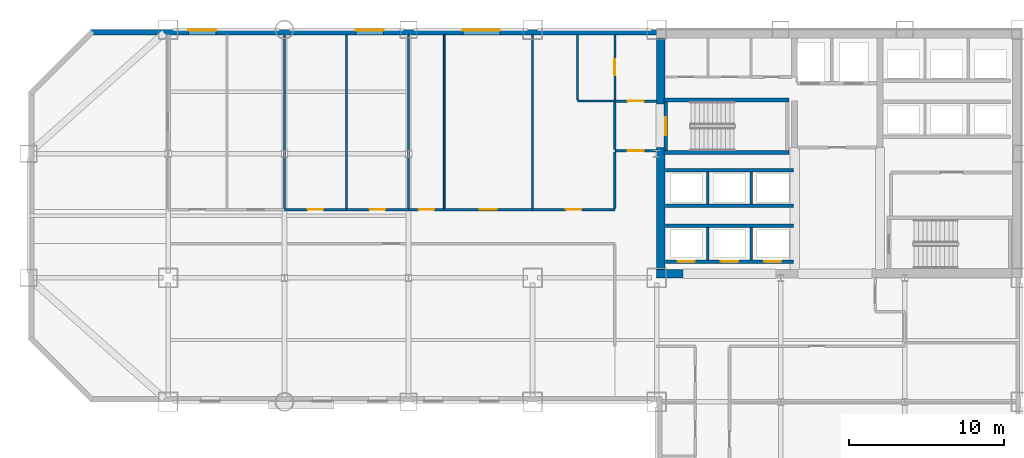
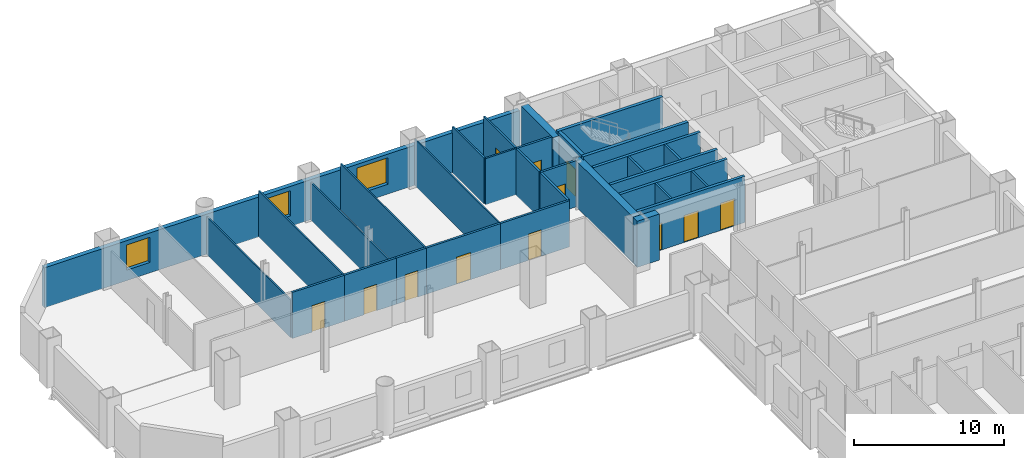
# One storey, part 6 of 9: 32 walls, 12 doors, 3 windows, 15 openings.
"""IFC4 building model written with IfcOpenShell, lengths in metres."""

from ifc_helpers import new_model, si_unit, direction, frame, frame_2d, origin, place, context, subcontext, project, spatial, rectangle, extrude, material, layer, layer_set, type_object, element, fill, save


model = new_model("IFC4")

# Units and contexts
model_context = context("Model", 3, precision=1e-05, world=origin(), true_north=direction((0.0, 1.0)))
body_context = subcontext(model_context, "Body", "Model", "MODEL_VIEW")
ifc_project = project(units=[si_unit("LENGTHUNIT", "METRE"), si_unit("AREAUNIT", "SQUARE_METRE"), si_unit("VOLUMEUNIT", "CUBIC_METRE"), si_unit("PLANEANGLEUNIT", "RADIAN"), si_unit("MASSUNIT", "GRAM", prefix="KILO")], contexts=[model_context])

# Site, building, storey
site_placement = place(None, origin())
site = spatial("IfcSite", under=ifc_project, at=site_placement, CompositionType="ELEMENT")
building_placement = place(site_placement, origin())
building = spatial("IfcBuilding", under=site, at=building_placement, Name="Qianrong Seaharbour Tower", CompositionType="ELEMENT")
storey_placement = place(building_placement, frame((0.0, 0.0, 40.199951171875)))
storey = spatial("IfcBuildingStorey", under=building, at=storey_placement, Name="L09", CompositionType="ELEMENT", Elevation=40.199951171875)

# Walls
ifc_material_1 = material(Name="Concrete C70/85", Category="concrete")
ifc_layer_1 = layer(ifc_material_1, 0.5400390625)
ifc_layer_set_1 = layer_set([ifc_layer_1], Name="Concrete C70/85")
wall_type_1 = type_object("IfcWallType", Name="WALL-CORE-540", PredefinedType="SHEAR", material=ifc_layer_set_1)
wall_1_placement = place(storey_placement, frame((40.77001953125, 36.5400390625, 0.0), z_axis=(0.0, 0.0, 1.0), x_axis=(0.0, 1.0, 0.0)))
element("IfcWall", 1, at=wall_1_placement, inside=storey, type_object=wall_type_1, Name="L09 West Core Shear Wall South", PredefinedType="SHEAR", context=body_context, shape_type="SweptSolid", body=[
    extrude(rectangle(XDim=7.85986328125, YDim=0.5400390625, at=frame_2d((3.929931640625, 0.0))), origin(), (0.0, 0.0, 1.0), 3.75),
])
wall_2_placement = place(storey_placement, frame((40.77001953125, 47.199951171875, 0.0), z_axis=(0.0, 0.0, 1.0), x_axis=(0.0, 1.0, 0.0)))
element("IfcWall", 2, at=wall_2_placement, inside=storey, type_object=wall_type_1, Name="L09 West Core Shear Wall North", PredefinedType="SHEAR", context=body_context, shape_type="SweptSolid", body=[
    extrude(rectangle(XDim=4.260009765625, YDim=0.5400390625, at=frame_2d((2.1298828125, 0.0))), origin(), (0.0, 0.0, 1.0), 3.75),
])
wall_3_placement = place(storey_placement, frame((40.5, 36.27001953125, 0.0), z_axis=(0.0, 0.0, 1.0), x_axis=(1.0, 0.0, 0.0)))
element("IfcWall", 3, at=wall_3_placement, inside=storey, type_object=wall_type_1, Name="L09 South Core Shear Wall S1", PredefinedType="SHEAR", context=body_context, shape_type="SweptSolid", body=[
    extrude(rectangle(XDim=1.699951171875, YDim=0.5400390625, at=frame_2d((0.85009765625, 0.0))), origin(), (0.0, 0.0, 1.0), 3.75),
])

# Wall, opening, door
ifc_material_2 = material(Name="Fire-rated acoustic gypsum board partition")
ifc_layer_2 = layer(ifc_material_2, 0.1650390625)
ifc_layer_set_2 = layer_set([ifc_layer_2], Name="Fire-rated acoustic gypsum board partition")
wall_type_2 = type_object("IfcWallType", Name="WALL-CORR-PART-165", PredefinedType="PARTITIONING", material=ifc_layer_set_2)
wall_4_placement = place(storey_placement, frame((37.800048828125, 47.39990234375, 0.0), z_axis=(0.0, 0.0, 1.0), x_axis=(1.0, 0.0, 0.0)))
wall_4 = element("IfcWall", 4, at=wall_4_placement, inside=storey, type_object=wall_type_2, Name="L09 Interior Partition Wall 001", PredefinedType="PARTITIONING", context=body_context, shape_type="SweptSolid", body=[
    extrude(rectangle(XDim=2.699951171875, YDim=0.1650390625, at=frame_2d((1.35009765625, 0.0))), origin(), (0.0, 0.0, 1.0), 3.75),
])
opening_1_placement = place(wall_4_placement, frame((0.824951171875, 0.0, 0.0)))
opening_1 = element("IfcOpeningElement", 5, at=opening_1_placement, cuts=wall_4, Name="Opening DC-01", PredefinedType="OPENING", context=body_context, shape_type="SweptSolid", body=[
    extrude(rectangle(XDim=1.050048828125, YDim=2.14990234375, at=frame_2d((0.52490234375, 1.074951171875))), frame((0.0, 0.092529296875, 0.0), z_axis=(0.0, -1.0, 0.0), x_axis=(1.0, 0.0, 0.0)), (0.0, 0.0, 1.0), 0.18505859375),
])
ifc_material_3 = material(Name="Acoustic timber and galvanized steel fire door assembly", Category="steel")
door_type_1 = type_object("IfcDoorType", Name="DOOR-CORR-FD60-1050x2150", OperationType="NOTDEFINED", PredefinedType="DOOR", material=ifc_material_3)
door_1_placement = place(opening_1_placement, origin())
door_1 = element("IfcDoor", 6, at=door_1_placement, inside=storey, type_object=door_type_1, Name="L09 Smokeproof Stair Vestibule ST-1 Door", OperationType="SINGLE_SWING_RIGHT", OverallHeight=2.14990234375, OverallWidth=1.050048828125, PredefinedType="DOOR", context=body_context, shape_type="SweptSolid", body=[
    extrude(rectangle(XDim=1.050048828125, YDim=2.14990234375, at=frame_2d((0.52490234375, 1.074951171875))), frame((0.0, 0.02490234375, 0.0), z_axis=(0.0, -1.0, 0.0), x_axis=(1.0, 0.0, 0.0)), (0.0, 0.0, 1.0), 0.050048828125),
])
fill(opening_1, door_1)

wall_5_placement = place(storey_placement, frame((40.5, 44.199951171875, 0.0), z_axis=(0.0, 0.0, 1.0), x_axis=(-1.0, 0.0, 0.0)))
wall_5 = element("IfcWall", 7, at=wall_5_placement, inside=storey, type_object=wall_type_2, Name="L09 Interior Partition Wall 002", PredefinedType="PARTITIONING", context=body_context, shape_type="SweptSolid", body=[
    extrude(rectangle(XDim=2.699951171875, YDim=0.1650390625, at=frame_2d((1.35009765625, 0.0))), origin(), (0.0, 0.0, 1.0), 3.75),
])
opening_2_placement = place(wall_5_placement, frame((0.824951171875, 0.0, 0.0)))
opening_2 = element("IfcOpeningElement", 8, at=opening_2_placement, cuts=wall_5, Name="Opening DC-01", PredefinedType="OPENING", context=body_context, shape_type="SweptSolid", body=[
    extrude(rectangle(XDim=1.050048828125, YDim=2.14990234375, at=frame_2d((0.52490234375, 1.074951171875))), frame((0.0, 0.092529296875, 0.0), z_axis=(0.0, -1.0, 0.0), x_axis=(1.0, 0.0, 0.0)), (0.0, 0.0, 1.0), 0.18505859375),
])
door_2_placement = place(opening_2_placement, origin())
door_2 = element("IfcDoor", 9, at=door_2_placement, inside=storey, type_object=door_type_1, Name="L09 Smokeproof Stair Vestibule ST-1 Door", OperationType="SINGLE_SWING_LEFT", OverallHeight=2.14990234375, OverallWidth=1.050048828125, PredefinedType="DOOR", context=body_context, shape_type="SweptSolid", body=[
    extrude(rectangle(XDim=1.050048828125, YDim=2.14990234375, at=frame_2d((0.52490234375, 1.074951171875))), frame((0.0, 0.02490234375, 0.0), z_axis=(0.0, -1.0, 0.0), x_axis=(1.0, 0.0, 0.0)), (0.0, 0.0, 1.0), 0.050048828125),
])
fill(opening_2, door_2)

# Wall
wall_6_placement = place(storey_placement, frame((37.800048828125, 44.2744140625, 0.0), z_axis=(0.0, 0.0, 1.0), x_axis=(0.0, 1.0, 0.0)))
element("IfcWall", 10, at=wall_6_placement, inside=storey, type_object=wall_type_2, Name="L09 Interior Partition Wall 003", PredefinedType="PARTITIONING", context=body_context, shape_type="SweptSolid", body=[
    extrude(rectangle(XDim=3.051025390625, YDim=0.1650390625, at=frame_2d((1.525390625, 0.0))), origin(), (0.0, 0.0, 1.0), 3.75),
])

# Wall, opening, door
wall_7_placement = place(storey_placement, frame((16.5, 40.39990234375, 0.0), z_axis=(0.0, 0.0, 1.0), x_axis=(1.0, 0.0, 0.0)))
wall_7 = element("IfcWall", 11, at=wall_7_placement, inside=storey, type_object=wall_type_2, Name="L09 Interior Partition Wall 018", PredefinedType="PARTITIONING", context=body_context, shape_type="SweptSolid", body=[
    extrude(rectangle(XDim=4.0, YDim=0.1650390625, at=frame_2d((2.0, 0.0))), origin(), (0.0, 0.0, 1.0), 3.75),
])
opening_3_placement = place(wall_7_placement, frame((1.5, 0.0, 0.0)))
opening_3 = element("IfcOpeningElement", 12, at=opening_3_placement, cuts=wall_7, Name="Opening DO-01", PredefinedType="OPENING", context=body_context, shape_type="SweptSolid", body=[
    extrude(rectangle(XDim=1.0, YDim=2.14990234375, at=frame_2d((0.5, 1.074951171875))), frame((0.0, 0.092529296875, 0.0), z_axis=(0.0, -1.0, 0.0), x_axis=(1.0, 0.0, 0.0)), (0.0, 0.0, 1.0), 0.18505859375),
])
door_type_2 = type_object("IfcDoorType", Name="DOOR-OFFICE-1000x2150", OperationType="NOTDEFINED", PredefinedType="DOOR", material=ifc_material_3)
door_3_placement = place(opening_3_placement, origin())
door_3 = element("IfcDoor", 13, at=door_3_placement, inside=storey, type_object=door_type_2, Name="L09 Executive Office 4 Door", OperationType="SINGLE_SWING_LEFT", OverallHeight=2.14990234375, OverallWidth=1.0, PredefinedType="DOOR", context=body_context, shape_type="SweptSolid", body=[
    extrude(rectangle(XDim=1.0, YDim=2.14990234375, at=frame_2d((0.5, 1.074951171875))), frame((0.0, 0.02490234375, 0.0), z_axis=(0.0, -1.0, 0.0), x_axis=(1.0, 0.0, 0.0)), (0.0, 0.0, 1.0), 0.050048828125),
])
fill(opening_3, door_3)

wall_8_placement = place(storey_placement, frame((20.5, 40.39990234375, 0.0), z_axis=(0.0, 0.0, 1.0), x_axis=(1.0, 0.0, 0.0)))
wall_8 = element("IfcWall", 14, at=wall_8_placement, inside=storey, type_object=wall_type_2, Name="L09 Interior Partition Wall 019", PredefinedType="PARTITIONING", context=body_context, shape_type="SweptSolid", body=[
    extrude(rectangle(XDim=4.0, YDim=0.1650390625, at=frame_2d((2.0, 0.0))), origin(), (0.0, 0.0, 1.0), 3.75),
])
opening_4_placement = place(wall_8_placement, frame((1.5, 0.0, 0.0)))
opening_4 = element("IfcOpeningElement", 15, at=opening_4_placement, cuts=wall_8, Name="Opening DO-01", PredefinedType="OPENING", context=body_context, shape_type="SweptSolid", body=[
    extrude(rectangle(XDim=1.0, YDim=2.14990234375, at=frame_2d((0.5, 1.074951171875))), frame((0.0, 0.092529296875, 0.0), z_axis=(0.0, -1.0, 0.0), x_axis=(1.0, 0.0, 0.0)), (0.0, 0.0, 1.0), 0.18505859375),
])
door_4_placement = place(opening_4_placement, origin())
door_4 = element("IfcDoor", 16, at=door_4_placement, inside=storey, type_object=door_type_2, Name="L09 Executive Office 5 Door", OperationType="SINGLE_SWING_RIGHT", OverallHeight=2.14990234375, OverallWidth=1.0, PredefinedType="DOOR", context=body_context, shape_type="SweptSolid", body=[
    extrude(rectangle(XDim=1.0, YDim=2.14990234375, at=frame_2d((0.5, 1.074951171875))), frame((0.0, 0.02490234375, 0.0), z_axis=(0.0, -1.0, 0.0), x_axis=(1.0, 0.0, 0.0)), (0.0, 0.0, 1.0), 0.050048828125),
])
fill(opening_4, door_4)

wall_9_placement = place(storey_placement, frame((24.5, 40.39990234375, 0.0), z_axis=(0.0, 0.0, 1.0), x_axis=(1.0, 0.0, 0.0)))
wall_9 = element("IfcWall", 17, at=wall_9_placement, inside=storey, type_object=wall_type_2, Name="L09 Interior Partition Wall 020", PredefinedType="PARTITIONING", context=body_context, shape_type="SweptSolid", body=[
    extrude(rectangle(XDim=2.300048828125, YDim=0.1650390625, at=frame_2d((1.14990234375, 0.0))), origin(), (0.0, 0.0, 1.0), 3.75),
])
opening_5_placement = place(wall_9_placement, frame((0.64990234375, 0.0, 0.0)))
opening_5 = element("IfcOpeningElement", 18, at=opening_5_placement, cuts=wall_9, Name="Opening DO-01", PredefinedType="OPENING", context=body_context, shape_type="SweptSolid", body=[
    extrude(rectangle(XDim=1.0, YDim=2.14990234375, at=frame_2d((0.5, 1.074951171875))), frame((0.0, 0.092529296875, 0.0), z_axis=(0.0, -1.0, 0.0), x_axis=(1.0, 0.0, 0.0)), (0.0, 0.0, 1.0), 0.18505859375),
])
door_5_placement = place(opening_5_placement, origin())
door_5 = element("IfcDoor", 19, at=door_5_placement, inside=storey, type_object=door_type_2, Name="L09 Focus Room 6 Door", OperationType="SINGLE_SWING_LEFT", OverallHeight=2.14990234375, OverallWidth=1.0, PredefinedType="DOOR", context=body_context, shape_type="SweptSolid", body=[
    extrude(rectangle(XDim=1.0, YDim=2.14990234375, at=frame_2d((0.5, 1.074951171875))), frame((0.0, 0.02490234375, 0.0), z_axis=(0.0, -1.0, 0.0), x_axis=(1.0, 0.0, 0.0)), (0.0, 0.0, 1.0), 0.050048828125),
])
fill(opening_5, door_5)

wall_10_placement = place(storey_placement, frame((26.800048828125, 40.39990234375, 0.0), z_axis=(0.0, 0.0, 1.0), x_axis=(1.0, 0.0, 0.0)))
wall_10 = element("IfcWall", 20, at=wall_10_placement, inside=storey, type_object=wall_type_2, Name="L09 Interior Partition Wall 021", PredefinedType="PARTITIONING", context=body_context, shape_type="SweptSolid", body=[
    extrude(rectangle(XDim=5.699951171875, YDim=0.1650390625, at=frame_2d((2.85009765625, 0.0))), origin(), (0.0, 0.0, 1.0), 3.75),
])
opening_6_placement = place(wall_10_placement, frame((2.300048828125, 0.0, 0.0)))
opening_6 = element("IfcOpeningElement", 21, at=opening_6_placement, cuts=wall_10, Name="Opening DM-01", PredefinedType="OPENING", context=body_context, shape_type="SweptSolid", body=[
    extrude(rectangle(XDim=1.10009765625, YDim=2.199951171875, at=frame_2d((0.550048828125, 1.10009765625))), frame((0.0, 0.092529296875, 0.0), z_axis=(0.0, -1.0, 0.0), x_axis=(1.0, 0.0, 0.0)), (0.0, 0.0, 1.0), 0.18505859375),
])
door_type_3 = type_object("IfcDoorType", Name="DOOR-MEET-1100x2200", OperationType="NOTDEFINED", PredefinedType="DOOR", material=ifc_material_3)
door_6_placement = place(opening_6_placement, origin())
door_6 = element("IfcDoor", 22, at=door_6_placement, inside=storey, type_object=door_type_3, Name="L09 Meeting Room 7 Door", OperationType="SINGLE_SWING_RIGHT", OverallHeight=2.199951171875, OverallWidth=1.10009765625, PredefinedType="DOOR", context=body_context, shape_type="SweptSolid", body=[
    extrude(rectangle(XDim=1.10009765625, YDim=2.199951171875, at=frame_2d((0.550048828125, 1.10009765625))), frame((0.0, 0.02490234375, 0.0), z_axis=(0.0, -1.0, 0.0), x_axis=(1.0, 0.0, 0.0)), (0.0, 0.0, 1.0), 0.050048828125),
])
fill(opening_6, door_6)

wall_11_placement = place(storey_placement, frame((32.5, 40.39990234375, 0.0), z_axis=(0.0, 0.0, 1.0), x_axis=(1.0, 0.0, 0.0)))
wall_11 = element("IfcWall", 23, at=wall_11_placement, inside=storey, type_object=wall_type_2, Name="L09 Interior Partition Wall 022", PredefinedType="PARTITIONING", context=body_context, shape_type="SweptSolid", body=[
    extrude(rectangle(XDim=5.300048828125, YDim=0.1650390625, at=frame_2d((2.64990234375, 0.0))), origin(), (0.0, 0.0, 1.0), 3.75),
])
opening_7_placement = place(wall_11_placement, frame((2.14990234375, 0.0, 0.0)))
opening_7 = element("IfcOpeningElement", 24, at=opening_7_placement, cuts=wall_11, Name="Opening DO-01", PredefinedType="OPENING", context=body_context, shape_type="SweptSolid", body=[
    extrude(rectangle(XDim=1.0, YDim=2.14990234375, at=frame_2d((0.5, 1.074951171875))), frame((0.0, 0.092529296875, 0.0), z_axis=(0.0, -1.0, 0.0), x_axis=(1.0, 0.0, 0.0)), (0.0, 0.0, 1.0), 0.18505859375),
])
door_7_placement = place(opening_7_placement, origin())
door_7 = element("IfcDoor", 25, at=door_7_placement, inside=storey, type_object=door_type_2, Name="L09 Executive Office 8 Door", OperationType="SINGLE_SWING_LEFT", OverallHeight=2.14990234375, OverallWidth=1.0, PredefinedType="DOOR", context=body_context, shape_type="SweptSolid", body=[
    extrude(rectangle(XDim=1.0, YDim=2.14990234375, at=frame_2d((0.5, 1.074951171875))), frame((0.0, 0.02490234375, 0.0), z_axis=(0.0, -1.0, 0.0), x_axis=(1.0, 0.0, 0.0)), (0.0, 0.0, 1.0), 0.050048828125),
])
fill(opening_7, door_7)

# Walls
wall_12_placement = place(storey_placement, frame((37.800048828125, 40.474609375, 0.0), z_axis=(0.0, 0.0, 1.0), x_axis=(0.0, 1.0, 0.0)))
element("IfcWall", 26, at=wall_12_placement, inside=storey, type_object=wall_type_2, Name="L09 Interior Partition Wall 024", PredefinedType="PARTITIONING", context=body_context, shape_type="SweptSolid", body=[
    extrude(rectangle(XDim=3.65087890625, YDim=0.1650390625, at=frame_2d((1.825439453125, 0.0))), origin(), (0.0, 0.0, 1.0), 3.75),
])
ifc_material_4 = material(Name="Demountable aluminium-framed acoustic office partition", Category="aluminium")
ifc_layer_3 = layer(ifc_material_4, 0.110107421875)
ifc_layer_set_3 = layer_set([ifc_layer_3], Name="Demountable aluminium-framed acoustic office partition")
wall_type_3 = type_object("IfcWallType", Name="WALL-DEMOUNT-110", PredefinedType="MOVABLE", material=ifc_layer_set_3)
wall_13_placement = place(storey_placement, frame((16.5, 51.66796875, 0.0), z_axis=(0.0, 0.0, 1.0), x_axis=(0.0, -1.0, 0.0)))
element("IfcWall", 27, at=wall_13_placement, inside=storey, type_object=wall_type_3, Name="L09 Interior Partition Wall 047", PredefinedType="MOVABLE", context=body_context, shape_type="SweptSolid", body=[
    extrude(rectangle(XDim=11.193359375, YDim=0.110107421875, at=frame_2d((5.5966796875, 0.0))), origin(), (0.0, 0.0, 1.0), 3.0419921875),
])
wall_14_placement = place(storey_placement, frame((20.5, 51.66796875, 0.0), z_axis=(0.0, 0.0, 1.0), x_axis=(0.0, -1.0, 0.0)))
element("IfcWall", 28, at=wall_14_placement, inside=storey, type_object=wall_type_3, Name="L09 Interior Partition Wall 048", PredefinedType="MOVABLE", context=body_context, shape_type="SweptSolid", body=[
    extrude(rectangle(XDim=11.193359375, YDim=0.110107421875, at=frame_2d((5.5966796875, 0.0))), origin(), (0.0, 0.0, 1.0), 3.75),
])
wall_15_placement = place(storey_placement, frame((24.5, 51.66796875, 0.0), z_axis=(0.0, 0.0, 1.0), x_axis=(0.0, -1.0, 0.0)))
element("IfcWall", 29, at=wall_15_placement, inside=storey, type_object=wall_type_3, Name="L09 Interior Partition Wall 049", PredefinedType="MOVABLE", context=body_context, shape_type="SweptSolid", body=[
    extrude(rectangle(XDim=11.193359375, YDim=0.110107421875, at=frame_2d((5.5966796875, 0.0))), origin(), (0.0, 0.0, 1.0), 3.0419921875),
])
for number, where, z_axis, x_axis, name in (
    (30, (26.800048828125, 51.66796875, 0.0), (0.0, 0.0, 1.0), (0.0, -1.0, 0.0), "L09 Interior Partition Wall 050"),
    (31, (32.5, 51.66796875, 0.0), (0.0, 0.0, 1.0), (0.0, -1.0, 0.0), "L09 Interior Partition Wall 051"),
):
    element("IfcWall", number, at=place(storey_placement, frame(where, z_axis=z_axis, x_axis=x_axis)), inside=storey, type_object=wall_type_3, Name=name, PredefinedType="MOVABLE", context=body_context, shape_type="SweptSolid", body=[
        extrude(rectangle(XDim=11.193359375, YDim=0.110107421875, at=frame_2d((5.5966796875, 0.0))), origin(), (0.0, 0.0, 1.0), 3.75),
    ])

# Wall, openings, windows
ifc_material_5 = material(Name="Unitised buff brick on Precast concrete C45/55", Category="masonry")
ifc_layer_4 = layer(ifc_material_5, 0.340087890625)
ifc_layer_set_4 = layer_set([ifc_layer_4], Name="Unitised buff brick on Precast concrete C45/55")
wall_type_4 = type_object("IfcWallType", Name="WALL-EXT-BRICK-BUFF-340", PredefinedType="SOLIDWALL", material=ifc_layer_set_4)
wall_16_placement = place(storey_placement, frame((4.0, 51.830078125, 0.0), z_axis=(0.0, 0.0, 1.0), x_axis=(1.0, 0.0, 0.0)))
wall_16 = element("IfcWall", 32, at=wall_16_placement, inside=storey, type_object=wall_type_4, Name="L09 Exterior Masonry Facade Wall NORTH_WING", PredefinedType="SOLIDWALL", context=body_context, shape_type="SweptSolid", body=[
    extrude(rectangle(XDim=36.52001953125, YDim=0.340087890625, at=frame_2d((18.260009765625, 0.0))), origin(), (0.0, 0.0, 1.0), 3.25),
])
opening_8_placement = place(wall_16_placement, frame((6.300048828125, 0.0, 0.85009765625)))
opening_8 = element("IfcOpeningElement", 33, at=opening_8_placement, cuts=wall_16, Name="Opening WN-05", PredefinedType="OPENING", context=body_context, shape_type="SweptSolid", body=[
    extrude(rectangle(XDim=1.800048828125, YDim=2.050048828125, at=frame_2d((0.89990234375, 1.02490234375))), frame((0.0, 0.18017578125, 0.0), z_axis=(0.0, -1.0, 0.0), x_axis=(1.0, 0.0, 0.0)), (0.0, 0.0, 1.0), 0.360107421875),
])
opening_9_placement = place(wall_16_placement, frame((17.10009765625, 0.0, 0.85009765625)))
opening_9 = element("IfcOpeningElement", 34, at=opening_9_placement, cuts=wall_16, Name="Opening WN-05", PredefinedType="OPENING", context=body_context, shape_type="SweptSolid", body=[
    extrude(rectangle(XDim=1.800048828125, YDim=2.050048828125, at=frame_2d((0.89990234375, 1.02490234375))), frame((0.0, 0.18017578125, 0.0), z_axis=(0.0, -1.0, 0.0), x_axis=(1.0, 0.0, 0.0)), (0.0, 0.0, 1.0), 0.360107421875),
])
opening_10_placement = place(wall_16_placement, frame((24.0, 0.0, 0.800048828125)))
opening_10 = element("IfcOpeningElement", 35, at=opening_10_placement, cuts=wall_16, Name="Opening WN-07", PredefinedType="OPENING", context=body_context, shape_type="SweptSolid", body=[
    extrude(rectangle(XDim=2.39990234375, YDim=2.14990234375, at=frame_2d((1.199951171875, 1.074951171875))), frame((0.0, 0.18017578125, 0.0), z_axis=(0.0, -1.0, 0.0), x_axis=(1.0, 0.0, 0.0)), (0.0, 0.0, 1.0), 0.360107421875),
])
ifc_material_6 = material(Name="Insulated low-e double glazing in thermally broken aluminium 6063-T6 frame", Category="aluminium")
window_type_1 = type_object("IfcWindowType", Name="WIN-PUNCH-1800x2050", PartitioningType="TRIPLE_PANEL_VERTICAL", PredefinedType="WINDOW", material=ifc_material_6)
window_1_placement = place(opening_8_placement, origin())
window_1 = element("IfcWindow", 36, at=window_1_placement, inside=storey, type_object=window_type_1, Name="L09 Deep-Set Punched Window 05.02", OverallHeight=2.050048828125, OverallWidth=1.800048828125, PartitioningType="TRIPLE_PANEL_VERTICAL", PredefinedType="WINDOW", context=body_context, shape_type="SweptSolid", body=[
    extrude(rectangle(XDim=1.800048828125, YDim=2.050048828125, at=frame_2d((0.89990234375, 1.02490234375))), frame((0.0, 0.150146484375, 0.0), z_axis=(0.0, -1.0, 0.0), x_axis=(1.0, 0.0, 0.0)), (0.0, 0.0, 1.0), 0.06005859375),
])
fill(opening_8, window_1)
window_2_placement = place(opening_9_placement, origin())
window_2 = element("IfcWindow", 37, at=window_2_placement, inside=storey, type_object=window_type_1, Name="L09 Deep-Set Punched Window 05.05", OverallHeight=2.050048828125, OverallWidth=1.800048828125, PartitioningType="TRIPLE_PANEL_VERTICAL", PredefinedType="WINDOW", context=body_context, shape_type="SweptSolid", body=[
    extrude(rectangle(XDim=1.800048828125, YDim=2.050048828125, at=frame_2d((0.89990234375, 1.02490234375))), frame((0.0, 0.150146484375, 0.0), z_axis=(0.0, -1.0, 0.0), x_axis=(1.0, 0.0, 0.0)), (0.0, 0.0, 1.0), 0.06005859375),
])
fill(opening_9, window_2)
window_type_2 = type_object("IfcWindowType", Name="WIN-PUNCH-2400x2150", PartitioningType="TRIPLE_PANEL_VERTICAL", PredefinedType="WINDOW", material=ifc_material_6)
window_3_placement = place(opening_10_placement, origin())
window_3 = element("IfcWindow", 38, at=window_3_placement, inside=storey, type_object=window_type_2, Name="L09 Deep-Set Punched Window 05.07", OverallHeight=2.14990234375, OverallWidth=2.39990234375, PartitioningType="TRIPLE_PANEL_VERTICAL", PredefinedType="WINDOW", context=body_context, shape_type="SweptSolid", body=[
    extrude(rectangle(XDim=2.39990234375, YDim=2.14990234375, at=frame_2d((1.199951171875, 1.074951171875))), frame((0.0, 0.150146484375, 0.0), z_axis=(0.0, -1.0, 0.0), x_axis=(1.0, 0.0, 0.0)), (0.0, 0.0, 1.0), 0.06005859375),
])
fill(opening_10, window_3)

# Walls
ifc_material_7 = material(Name="Fire-rated gypsum board on steel studs", Category="steel")
ifc_layer_5 = layer(ifc_material_7, 0.14990234375)
ifc_layer_set_5 = layer_set([ifc_layer_5], Name="Fire-rated gypsum board on steel studs")
wall_type_5 = type_object("IfcWallType", Name="WALL-SHAFT-DIV-150", PredefinedType="PARTITIONING", material=ifc_layer_set_5)
for number, where, z_axis, x_axis, name in (
    (39, (43.800048828125, 37.159912109375, 0.0), (0.0, 0.0, 1.0), (0.0, 1.0, 0.0), "L09 P1 Lift Hoistway Divider 2"),
    (40, (46.60009765625, 37.159912109375, 0.0), (0.0, 0.0, 1.0), (0.0, 1.0, 0.0), "L09 P1 Lift Hoistway Divider 3"),
    (41, (43.800048828125, 40.760009765625, 0.0), (0.0, 0.0, 1.0), (0.0, 1.0, 0.0), "L09 P2 Lift Hoistway Divider 2"),
    (42, (46.60009765625, 40.760009765625, 0.0), (0.0, 0.0, 1.0), (0.0, 1.0, 0.0), "L09 P2 Lift Hoistway Divider 3"),
):
    element("IfcWall", number, at=place(storey_placement, frame(where, z_axis=z_axis, x_axis=x_axis)), inside=storey, type_object=wall_type_5, Name=name, PredefinedType="PARTITIONING", context=body_context, shape_type="SweptSolid", body=[
        extrude(rectangle(XDim=2.080078125, YDim=0.14990234375, at=frame_2d((1.0400390625, 0.0))), origin(), (0.0, 0.0, 1.0), 3.75),
    ])

# Wall, openings, doors
ifc_layer_6 = layer(ifc_material_7, 0.219970703125)
ifc_layer_set_6 = layer_set([ifc_layer_6], Name="Fire-rated gypsum board on steel studs")
wall_type_6 = type_object("IfcWallType", Name="WALL-SHAFT-GYP220", PredefinedType="PARTITIONING", material=ifc_layer_set_6)
wall_17_placement = place(storey_placement, frame((49.320068359375, 37.050048828125, 0.0), z_axis=(0.0, 0.0, 1.0), x_axis=(-1.0, 0.0, 0.0)))
wall_17 = element("IfcWall", 43, at=wall_17_placement, inside=storey, type_object=wall_type_6, Name="L09 P1 Lift Hoistway Front Wall", PredefinedType="PARTITIONING", context=body_context, shape_type="SweptSolid", body=[
    extrude(rectangle(XDim=8.239990234375, YDim=0.219970703125, at=frame_2d((4.1201171875, 0.0))), origin(), (0.0, 0.0, 1.0), 3.75),
])
opening_11_placement = place(wall_17_placement, frame((6.3701171875, 0.0, 0.0)))
opening_11 = element("IfcOpeningElement", 44, at=opening_11_placement, cuts=wall_17, Name="Opening LD-02", PredefinedType="OPENING", context=body_context, shape_type="SweptSolid", body=[
    extrude(rectangle(XDim=1.10009765625, YDim=2.199951171875, at=frame_2d((0.550048828125, 1.10009765625))), frame((0.0, 0.1201171875, 0.0), z_axis=(0.0, -1.0, 0.0), x_axis=(1.0, 0.0, 0.0)), (0.0, 0.0, 1.0), 0.239990234375),
])
opening_12_placement = place(wall_17_placement, frame((3.570068359375, 0.0, 0.0)))
opening_12 = element("IfcOpeningElement", 45, at=opening_12_placement, cuts=wall_17, Name="Opening LD-02", PredefinedType="OPENING", context=body_context, shape_type="SweptSolid", body=[
    extrude(rectangle(XDim=1.10009765625, YDim=2.199951171875, at=frame_2d((0.550048828125, 1.10009765625))), frame((0.0, 0.1201171875, 0.0), z_axis=(0.0, -1.0, 0.0), x_axis=(1.0, 0.0, 0.0)), (0.0, 0.0, 1.0), 0.239990234375),
])
opening_13_placement = place(wall_17_placement, frame((0.77001953125, 0.0, 0.0)))
opening_13 = element("IfcOpeningElement", 46, at=opening_13_placement, cuts=wall_17, Name="Opening LD-02", PredefinedType="OPENING", context=body_context, shape_type="SweptSolid", body=[
    extrude(rectangle(XDim=1.10009765625, YDim=2.199951171875, at=frame_2d((0.550048828125, 1.10009765625))), frame((0.0, 0.1201171875, 0.0), z_axis=(0.0, -1.0, 0.0), x_axis=(1.0, 0.0, 0.0)), (0.0, 0.0, 1.0), 0.239990234375),
])
ifc_material_8 = material(Name="Stainless steel SUS316L bi-parting lift landing door", Category="steel")
door_type_4 = type_object("IfcDoorType", Name="DOOR-LIFT-PASS-1100x2200", OperationType="DOUBLE_DOOR_SLIDING", PredefinedType="DOOR", material=ifc_material_8)
door_8_placement = place(opening_11_placement, origin())
door_8 = element("IfcDoor", 47, at=door_8_placement, inside=storey, type_object=door_type_4, Name="L09 PL-1A Lift Landing Door", OperationType="DOUBLE_DOOR_SLIDING", OverallHeight=2.199951171875, OverallWidth=1.10009765625, PredefinedType="DOOR", context=body_context, shape_type="SweptSolid", body=[
    extrude(rectangle(XDim=1.10009765625, YDim=2.199951171875, at=frame_2d((0.550048828125, 1.10009765625))), frame((0.0, 0.02490234375, 0.0), z_axis=(0.0, -1.0, 0.0), x_axis=(1.0, 0.0, 0.0)), (0.0, 0.0, 1.0), 0.050048828125),
])
fill(opening_11, door_8)
door_9_placement = place(opening_12_placement, origin())
door_9 = element("IfcDoor", 48, at=door_9_placement, inside=storey, type_object=door_type_4, Name="L09 PL-1B Lift Landing Door", OperationType="DOUBLE_DOOR_SLIDING", OverallHeight=2.199951171875, OverallWidth=1.10009765625, PredefinedType="DOOR", context=body_context, shape_type="SweptSolid", body=[
    extrude(rectangle(XDim=1.10009765625, YDim=2.199951171875, at=frame_2d((0.550048828125, 1.10009765625))), frame((0.0, 0.02490234375, 0.0), z_axis=(0.0, -1.0, 0.0), x_axis=(1.0, 0.0, 0.0)), (0.0, 0.0, 1.0), 0.050048828125),
])
fill(opening_12, door_9)
door_10_placement = place(opening_13_placement, origin())
door_10 = element("IfcDoor", 49, at=door_10_placement, inside=storey, type_object=door_type_4, Name="L09 PL-1C Lift Landing Door", OperationType="DOUBLE_DOOR_SLIDING", OverallHeight=2.199951171875, OverallWidth=1.10009765625, PredefinedType="DOOR", context=body_context, shape_type="SweptSolid", body=[
    extrude(rectangle(XDim=1.10009765625, YDim=2.199951171875, at=frame_2d((0.550048828125, 1.10009765625))), frame((0.0, 0.02490234375, 0.0), z_axis=(0.0, -1.0, 0.0), x_axis=(1.0, 0.0, 0.0)), (0.0, 0.0, 1.0), 0.050048828125),
])
fill(opening_13, door_10)

# Walls
for number, where, z_axis, x_axis, name in (
    (50, (41.080078125, 39.35009765625, 0.0), (0.0, 0.0, 1.0), (1.0, 0.0, 0.0), "L09 P1 Lift Hoistway Back Wall"),
    (51, (49.320068359375, 40.64990234375, 0.0), (0.0, 0.0, 1.0), (-1.0, 0.0, 0.0), "L09 P2 Lift Hoistway Front Wall"),
    (52, (41.080078125, 42.949951171875, 0.0), (0.0, 0.0, 1.0), (1.0, 0.0, 0.0), "L09 P2 Lift Hoistway Back Wall"),
):
    element("IfcWall", number, at=place(storey_placement, frame(where, z_axis=z_axis, x_axis=x_axis)), inside=storey, type_object=wall_type_6, Name=name, PredefinedType="PARTITIONING", context=body_context, shape_type="SweptSolid", body=[
        extrude(rectangle(XDim=8.239990234375, YDim=0.219970703125, at=frame_2d((4.1201171875, 0.0))), origin(), (0.0, 0.0, 1.0), 3.75),
    ])
ifc_material_9 = material(Name="Concrete C50/60", Category="concrete")
ifc_layer_7 = layer(ifc_material_9, 0.239990234375)
ifc_layer_set_7 = layer_set([ifc_layer_7], Name="Concrete C50/60")
wall_type_7 = type_object("IfcWallType", Name="WALL-SHAFT-RC240", PredefinedType="SOLIDWALL", material=ifc_layer_set_7)
for number, where, z_axis, x_axis, name in (
    (53, (40.9599609375, 47.469970703125, 0.0), (0.0, 0.0, 1.0), (1.0, 0.0, 0.0), "L09 ST-1 Structural Stair Core Wall N"),
    (54, (49.0400390625, 44.080078125, 0.0), (0.0, 0.0, 1.0), (-1.0, 0.0, 0.0), "L09 ST-1 Structural Stair Core Wall S"),
):
    element("IfcWall", number, at=place(storey_placement, frame(where, z_axis=z_axis, x_axis=x_axis)), inside=storey, type_object=wall_type_7, Name=name, PredefinedType="SOLIDWALL", context=body_context, shape_type="SweptSolid", body=[
        extrude(rectangle(XDim=8.080078125, YDim=0.239990234375, at=frame_2d((4.0400390625, 0.0))), origin(), (0.0, 0.0, 1.0), 4.0),
    ])

# Wall, opening, door
wall_18_placement = place(storey_placement, frame((41.080078125, 47.35009765625, 0.0), z_axis=(0.0, 0.0, 1.0), x_axis=(0.0, -1.0, 0.0)))
wall_18 = element("IfcWall", 55, at=wall_18_placement, inside=storey, type_object=wall_type_7, Name="L09 ST-1 Structural Stair Core Wall W", PredefinedType="SOLIDWALL", context=body_context, shape_type="SweptSolid", body=[
    extrude(rectangle(XDim=3.150146484375, YDim=0.239990234375, at=frame_2d((1.5751953125, 0.0))), origin(), (0.0, 0.0, 1.0), 4.0),
])
opening_14_placement = place(wall_18_placement, frame((1.0, 0.0, 0.0)))
opening_14 = element("IfcOpeningElement", 56, at=opening_14_placement, cuts=wall_18, Name="Opening SD-01", PredefinedType="OPENING", context=body_context, shape_type="SweptSolid", body=[
    extrude(rectangle(XDim=1.14990234375, YDim=2.199951171875, at=frame_2d((0.574951171875, 1.10009765625))), frame((0.0, 0.1298828125, 0.0), z_axis=(0.0, -1.0, 0.0), x_axis=(1.0, 0.0, 0.0)), (0.0, 0.0, 1.0), 0.260009765625),
])
door_type_5 = type_object("IfcDoorType", Name="DOOR-STAIR-FD60-1150x2200", OperationType="NOTDEFINED", PredefinedType="DOOR", material=ifc_material_3)
door_11_placement = place(opening_14_placement, origin())
door_11 = element("IfcDoor", 57, at=door_11_placement, inside=storey, type_object=door_type_5, Name="L09 ST-1 Protected Stair Door", OperationType="SINGLE_SWING_RIGHT", OverallHeight=2.199951171875, OverallWidth=1.14990234375, PredefinedType="DOOR", context=body_context, shape_type="SweptSolid", body=[
    extrude(rectangle(XDim=1.14990234375, YDim=2.199951171875, at=frame_2d((0.574951171875, 1.10009765625))), frame((0.0, 0.02490234375, 0.0), z_axis=(0.0, -1.0, 0.0), x_axis=(1.0, 0.0, 0.0)), (0.0, 0.0, 1.0), 0.050048828125),
])
fill(opening_14, door_11)

ifc_material_10 = material(Name="Water-resistant cement board sanitary partition")
ifc_layer_8 = layer(ifc_material_10, 0.1298828125)
ifc_layer_set_8 = layer_set([ifc_layer_8], Name="Water-resistant cement board sanitary partition")
wall_type_8 = type_object("IfcWallType", Name="WALL-WET-PART-130", PredefinedType="PARTITIONING", material=ifc_layer_set_8)
wall_19_placement = place(storey_placement, frame((37.800048828125, 47.474609375, 0.0), z_axis=(0.0, 0.0, 1.0), x_axis=(0.0, 1.0, 0.0)))
wall_19 = element("IfcWall", 58, at=wall_19_placement, inside=storey, type_object=wall_type_8, Name="L09 Interior Partition Wall 004", PredefinedType="PARTITIONING", context=body_context, shape_type="SweptSolid", body=[
    extrude(rectangle(XDim=4.193359375, YDim=0.1298828125, at=frame_2d((2.0966796875, 0.0))), origin(), (0.0, 0.0, 1.0), 3.75),
])
opening_15_placement = place(wall_19_placement, frame((1.5869140625, 0.0, 0.0)))
opening_15 = element("IfcOpeningElement", 59, at=opening_15_placement, cuts=wall_19, Name="Opening DAW-01", PredefinedType="OPENING", context=body_context, shape_type="SweptSolid", body=[
    extrude(rectangle(XDim=1.02001953125, YDim=2.14990234375, at=frame_2d((0.510009765625, 1.074951171875))), frame((0.0, 0.074951171875, 0.0), z_axis=(0.0, -1.0, 0.0), x_axis=(1.0, 0.0, 0.0)), (0.0, 0.0, 1.0), 0.14990234375),
])
door_type_6 = type_object("IfcDoorType", Name="DOOR-AWC-SLIDE-1020x2150", OperationType="SLIDING_TO_LEFT", PredefinedType="DOOR", material=ifc_material_3)
door_12_placement = place(opening_15_placement, origin())
door_12 = element("IfcDoor", 60, at=door_12_placement, inside=storey, type_object=door_type_6, Name="L09 Accessible Restroom WC Door", OperationType="SLIDING_TO_LEFT", OverallHeight=2.14990234375, OverallWidth=1.02001953125, PredefinedType="DOOR", context=body_context, shape_type="SweptSolid", body=[
    extrude(rectangle(XDim=1.02001953125, YDim=2.14990234375, at=frame_2d((0.510009765625, 1.074951171875))), frame((0.0, 0.02490234375, 0.0), z_axis=(0.0, -1.0, 0.0), x_axis=(1.0, 0.0, 0.0)), (0.0, 0.0, 1.0), 0.050048828125),
])
fill(opening_15, door_12)

# Walls
wall_20_placement = place(storey_placement, frame((37.800048828125, 47.39990234375, 0.0), z_axis=(0.0, 0.0, 1.0), x_axis=(-1.0, 0.0, 0.0)))
element("IfcWall", 61, at=wall_20_placement, inside=storey, type_object=wall_type_8, Name="L09 Interior Partition Wall 005", PredefinedType="PARTITIONING", context=body_context, shape_type="SweptSolid", body=[
    extrude(rectangle(XDim=2.400146484375, YDim=0.1298828125, at=frame_2d((1.2001953125, 0.0))), origin(), (0.0, 0.0, 1.0), 3.75),
])
wall_21_placement = place(storey_placement, frame((35.39990234375, 47.45703125, 0.0), z_axis=(0.0, 0.0, 1.0), x_axis=(0.0, 1.0, 0.0)))
element("IfcWall", 62, at=wall_21_placement, inside=storey, type_object=wall_type_8, Name="L09 Interior Partition Wall 006", PredefinedType="PARTITIONING", context=body_context, shape_type="SweptSolid", body=[
    extrude(rectangle(XDim=4.2109375, YDim=0.1298828125, at=frame_2d((2.10546875, 0.0))), origin(), (0.0, 0.0, 1.0), 3.75),
])

save(model, "model.ifc")
